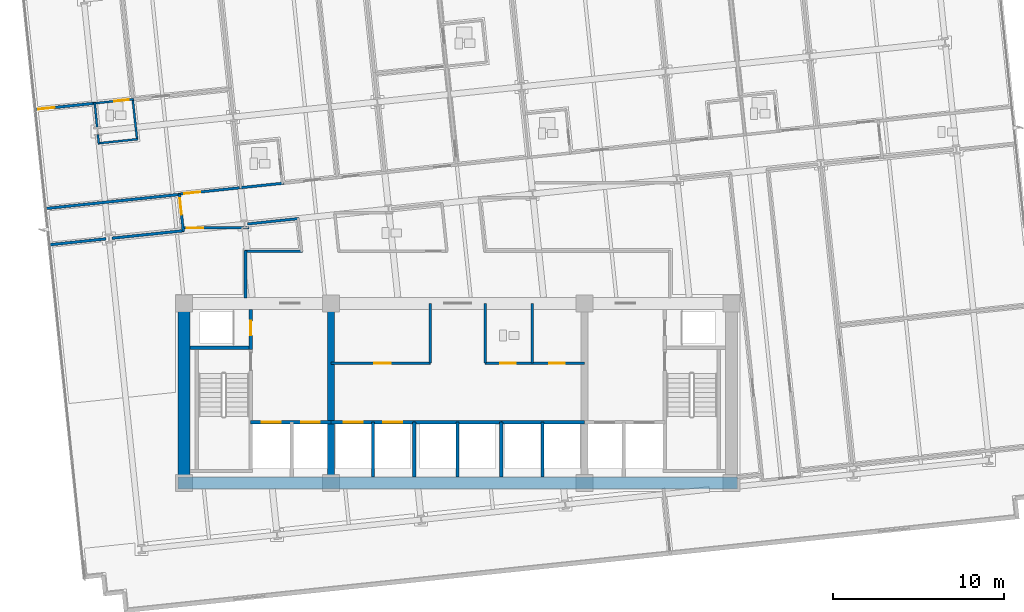
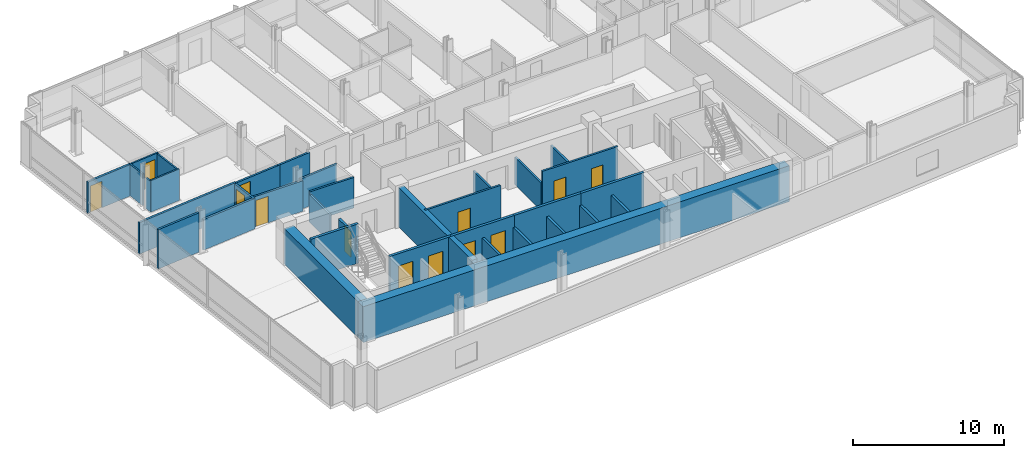
# One storey, part 10 of 20: 35 walls, 13 doors, 13 openings.
"""IFC4 building model written with IfcOpenShell, lengths in metres."""

from ifc_helpers import new_model, si_unit, direction, frame, frame_2d, origin, place, context, subcontext, project, spatial, rectangle, extrude, material, layer, layer_set, type_object, element, fill, save


model = new_model("IFC4")

# Units and contexts
model_context = context("Model", 3, precision=1e-05, world=origin(), true_north=direction((0.0, 1.0)))
body_context = subcontext(model_context, "Body", "Model", "MODEL_VIEW")
ifc_project = project(units=[si_unit("LENGTHUNIT", "METRE"), si_unit("AREAUNIT", "SQUARE_METRE"), si_unit("VOLUMEUNIT", "CUBIC_METRE"), si_unit("PLANEANGLEUNIT", "RADIAN"), si_unit("MASSUNIT", "GRAM", prefix="KILO")], contexts=[model_context])

# Site, building, storey
site_placement = place(None, origin())
site = spatial("IfcSite", under=ifc_project, at=site_placement, CompositionType="ELEMENT")
building_placement = place(site_placement, origin())
building = spatial("IfcBuilding", under=site, at=building_placement, Name="Solmavex Isthmus Hotel", CompositionType="ELEMENT")
storey_placement = place(building_placement, frame((0.0, 0.0, 87.0)))
storey = spatial("IfcBuildingStorey", under=building, at=storey_placement, Name="L23", CompositionType="ELEMENT", Elevation=87.0)

# Wall, opening, door
ifc_material_1 = material(Name="Gypsum plasterboard lining", Category="gypsum")
ifc_layer_1 = layer(ifc_material_1, 0.159912109375)
ifc_layer_set_1 = layer_set([ifc_layer_1], Name="Gypsum plasterboard lining")
wall_type_1 = type_object("IfcWallType", Name="IW-COMP-160", PredefinedType="PARTITIONING", material=ifc_layer_set_1)
wall_1_placement = place(storey_placement, frame((-24.714599609375, 8.822265625, 0.0), z_axis=(0.0, 0.0, 1.0), x_axis=(0.994521206634, 0.104535015934, 0.0)))
wall_1 = element("IfcWall", 1, at=wall_1_placement, inside=storey, type_object=wall_type_1, Name="Interior Partition Wall W-L23-P037", PredefinedType="PARTITIONING", context=body_context, shape_type="SweptSolid", body=[
    extrude(rectangle(XDim=3.56396484375, YDim=0.159912109375, at=frame_2d((1.781982421875, 0.0))), origin(), (0.0, 0.0, 1.0), 2.55322265625),
])
opening_1_placement = place(wall_1_placement, frame((0.2099609375, 0.0, 0.0)))
opening_1 = element("IfcOpeningElement", 2, at=opening_1_placement, cuts=wall_1, Name="Opening ID-C095", PredefinedType="OPENING", context=body_context, shape_type="SweptSolid", body=[
    extrude(rectangle(XDim=0.949951171875, YDim=2.14990234375, at=frame_2d((0.47509765625, 1.074951171875))), frame((0.0, 0.08984375, 0.0), z_axis=(0.0, -1.0, 0.0), x_axis=(1.0, 0.0, 0.0)), (0.0, 0.0, 1.0), 0.179931640625),
])
ifc_material_2 = material(Name="Hardwood timber", Category="wood")
door_type_1 = type_object("IfcDoorType", Name="IDR-FD60-0950", OperationType="NOTDEFINED", PredefinedType="DOOR", material=ifc_material_2)
door_1_placement = place(opening_1_placement, origin())
door_1 = element("IfcDoor", 3, at=door_1_placement, inside=storey, type_object=door_type_1, Name="Corner Botanical Suite Bedroom Door L23-02", OperationType="SINGLE_SWING_RIGHT", OverallHeight=2.14990234375, OverallWidth=0.949951171875, PredefinedType="DOOR", context=body_context, shape_type="SweptSolid", body=[
    extrude(rectangle(XDim=0.949951171875, YDim=2.14990234375, at=frame_2d((0.47509765625, 1.074951171875))), frame((0.0, 0.02490234375, 0.0), z_axis=(0.0, -1.0, 0.0), x_axis=(1.0, 0.0, 0.0)), (0.0, 0.0, 1.0), 0.050048828125),
])
fill(opening_1, door_1)

# Walls
wall_2_placement = place(storey_placement, frame((-16.221923828125, 3.86474609375, 0.0), z_axis=(0.0, 0.0, 1.0), x_axis=(-0.994522987852, -0.104518068455, 0.0)))
element("IfcWall", 4, at=wall_2_placement, inside=storey, type_object=wall_type_1, Name="Interior Partition Wall W-L23-P046", PredefinedType="PARTITIONING", context=body_context, shape_type="SweptSolid", body=[
    extrude(rectangle(XDim=7.927978515625, YDim=0.159912109375, at=frame_2d((3.9638671875, 0.0))), origin(), (0.0, 0.0, 1.0), 2.55322265625),
])
wall_3_placement = place(storey_placement, frame((-20.558349609375, 1.267333984375, 0.0), z_axis=(0.0, 0.0, 1.0), x_axis=(-0.99451904707, -0.10455555946, 0.0)))
element("IfcWall", 5, at=wall_3_placement, inside=storey, type_object=wall_type_1, Name="Interior Partition Wall W-L23-P086", PredefinedType="PARTITIONING", context=body_context, shape_type="SweptSolid", body=[
    extrude(rectangle(XDim=3.34375, YDim=0.159912109375, at=frame_2d((1.671875, 0.0))), origin(), (0.0, 0.0, 1.0), 3.18994140625),
])
wall_4_placement = place(storey_placement, frame((-15.9892578125, 1.74755859375, 0.0), z_axis=(0.0, 0.0, 1.0), x_axis=(-0.994523098997, -0.104517010867, 0.0)))
element("IfcWall", 6, at=wall_4_placement, inside=storey, type_object=wall_type_1, Name="Interior Partition Wall W-L23-P087", PredefinedType="PARTITIONING", context=body_context, shape_type="SweptSolid", body=[
    extrude(rectangle(XDim=4.241943359375, YDim=0.159912109375, at=frame_2d((2.12109375, 0.0))), origin(), (0.0, 0.0, 1.0), 2.4794921875),
])

# Wall, opening, door
ifc_layer_2 = layer(ifc_material_1, 0.14990234375)
ifc_layer_set_2 = layer_set([ifc_layer_2], Name="Gypsum plasterboard lining")
wall_type_2 = type_object("IfcWallType", Name="IW-CORR-150", PredefinedType="PARTITIONING", material=ifc_layer_set_2)
wall_5_placement = place(storey_placement, frame((-7.39990234375, -6.0, 0.0), z_axis=(0.0, 0.0, 1.0), x_axis=(1.0, 0.0, 0.0)))
wall_5 = element("IfcWall", 7, at=wall_5_placement, inside=storey, type_object=wall_type_2, Name="Interior Partition Wall W-L23-BOH-WS", PredefinedType="PARTITIONING", context=body_context, shape_type="SweptSolid", body=[
    extrude(rectangle(XDim=5.7998046875, YDim=0.14990234375, at=frame_2d((2.89990234375, 0.0))), origin(), (0.0, 0.0, 1.0), 3.18994140625),
])
opening_2_placement = place(wall_5_placement, frame((2.52490234375, 0.0, 0.0)))
opening_2 = element("IfcOpeningElement", 8, at=opening_2_placement, cuts=wall_5, Name="Opening ID-C095", PredefinedType="OPENING", context=body_context, shape_type="SweptSolid", body=[
    extrude(rectangle(XDim=0.949951171875, YDim=2.14990234375, at=frame_2d((0.47509765625, 1.074951171875))), frame((0.0, 0.0849609375, 0.0), z_axis=(0.0, -1.0, 0.0), x_axis=(1.0, 0.0, 0.0)), (0.0, 0.0, 1.0), 0.169921875),
])
door_2_placement = place(opening_2_placement, frame((0.949951171875, 0.0, 0.0), z_axis=(0.0, 0.0, 1.0), x_axis=(-1.0, 0.0, 0.0)))
door_2 = element("IfcDoor", 9, at=door_2_placement, inside=storey, type_object=door_type_1, Name="Housekeeping Room Door L23", OperationType="SINGLE_SWING_LEFT", OverallHeight=2.14990234375, OverallWidth=0.949951171875, PredefinedType="DOOR", context=body_context, shape_type="SweptSolid", body=[
    extrude(rectangle(XDim=0.949951171875, YDim=2.14990234375, at=frame_2d((0.47509765625, 1.074951171875))), frame((0.0, 0.02490234375, 0.0), z_axis=(0.0, -1.0, 0.0), x_axis=(1.0, 0.0, 0.0)), (0.0, 0.0, 1.0), 0.050048828125),
])
fill(opening_2, door_2)

# Wall
wall_6_placement = place(storey_placement, frame((-1.60009765625, -6.0, 0.0), z_axis=(0.0, 0.0, 1.0), x_axis=(0.0, 1.0, 0.0)))
element("IfcWall", 10, at=wall_6_placement, inside=storey, type_object=wall_type_2, Name="Interior Partition Wall W-L23-BOH-WE", PredefinedType="PARTITIONING", context=body_context, shape_type="SweptSolid", body=[
    extrude(rectangle(XDim=3.5, YDim=0.14990234375, at=frame_2d((1.75, 0.0))), origin(), (0.0, 0.0, 1.0), 2.22509765625),
])

# Wall, openings, doors
wall_7_placement = place(storey_placement, frame((1.60009765625, -6.0, 0.0), z_axis=(0.0, 0.0, 1.0), x_axis=(1.0, 0.0, 0.0)))
wall_7 = element("IfcWall", 11, at=wall_7_placement, inside=storey, type_object=wall_type_2, Name="Interior Partition Wall W-L23-BOH-ES", PredefinedType="PARTITIONING", context=body_context, shape_type="SweptSolid", body=[
    extrude(rectangle(XDim=5.7998046875, YDim=0.14990234375, at=frame_2d((2.89990234375, 0.0))), origin(), (0.0, 0.0, 1.0), 3.18994140625),
])
opening_3_placement = place(wall_7_placement, frame((0.89990234375, 0.0, 0.0)))
opening_3 = element("IfcOpeningElement", 12, at=opening_3_placement, cuts=wall_7, Name="Opening ID-C090", PredefinedType="OPENING", context=body_context, shape_type="SweptSolid", body=[
    extrude(rectangle(XDim=0.89990234375, YDim=2.10009765625, at=frame_2d((0.449951171875, 1.050048828125))), frame((0.0, 0.0849609375, 0.0), z_axis=(0.0, -1.0, 0.0), x_axis=(1.0, 0.0, 0.0)), (0.0, 0.0, 1.0), 0.169921875),
])
opening_4_placement = place(wall_7_placement, frame((3.75, 0.0, 0.0)))
opening_4 = element("IfcOpeningElement", 13, at=opening_4_placement, cuts=wall_7, Name="Opening ID-C090", PredefinedType="OPENING", context=body_context, shape_type="SweptSolid", body=[
    extrude(rectangle(XDim=0.89990234375, YDim=2.10009765625, at=frame_2d((0.449951171875, 1.050048828125))), frame((0.0, 0.0849609375, 0.0), z_axis=(0.0, -1.0, 0.0), x_axis=(1.0, 0.0, 0.0)), (0.0, 0.0, 1.0), 0.169921875),
])
door_type_2 = type_object("IfcDoorType", Name="IDR-FD60-0900", OperationType="NOTDEFINED", PredefinedType="DOOR", material=ifc_material_2)
door_3_placement = place(opening_3_placement, frame((0.89990234375, 0.0, 0.0), z_axis=(0.0, 0.0, 1.0), x_axis=(-1.0, 0.0, 0.0)))
door_3 = element("IfcDoor", 14, at=door_3_placement, inside=storey, type_object=door_type_2, Name="Staff WC Door L23", OperationType="SINGLE_SWING_RIGHT", OverallHeight=2.10009765625, OverallWidth=0.89990234375, PredefinedType="DOOR", context=body_context, shape_type="SweptSolid", body=[
    extrude(rectangle(XDim=0.89990234375, YDim=2.10009765625, at=frame_2d((0.449951171875, 1.050048828125))), frame((0.0, 0.02490234375, 0.0), z_axis=(0.0, -1.0, 0.0), x_axis=(1.0, 0.0, 0.0)), (0.0, 0.0, 1.0), 0.050048828125),
])
fill(opening_3, door_3)
door_4_placement = place(opening_4_placement, frame((0.89990234375, 0.0, 0.0), z_axis=(0.0, 0.0, 1.0), x_axis=(-1.0, 0.0, 0.0)))
door_4 = element("IfcDoor", 15, at=door_4_placement, inside=storey, type_object=door_type_2, Name="Pantry Door L23", OperationType="SINGLE_SWING_LEFT", OverallHeight=2.10009765625, OverallWidth=0.89990234375, PredefinedType="DOOR", context=body_context, shape_type="SweptSolid", body=[
    extrude(rectangle(XDim=0.89990234375, YDim=2.10009765625, at=frame_2d((0.449951171875, 1.050048828125))), frame((0.0, 0.02490234375, 0.0), z_axis=(0.0, -1.0, 0.0), x_axis=(1.0, 0.0, 0.0)), (0.0, 0.0, 1.0), 0.050048828125),
])
fill(opening_4, door_4)

# Wall
wall_8_placement = place(storey_placement, frame((1.60009765625, -6.0, 0.0), z_axis=(0.0, 0.0, 1.0), x_axis=(0.0, 1.0, 0.0)))
element("IfcWall", 16, at=wall_8_placement, inside=storey, type_object=wall_type_2, Name="Interior Partition Wall W-L23-BOH-EW", PredefinedType="PARTITIONING", context=body_context, shape_type="SweptSolid", body=[
    extrude(rectangle(XDim=3.5, YDim=0.14990234375, at=frame_2d((1.75, 0.0))), origin(), (0.0, 0.0, 1.0), 2.22509765625),
])

# Wall, opening, door
wall_9_placement = place(storey_placement, frame((-16.303466796875, 3.87646484375, 0.0), z_axis=(0.0, 0.0, 1.0), x_axis=(0.994525204328, 0.104496975826, 0.0)))
wall_9 = element("IfcWall", 17, at=wall_9_placement, inside=storey, type_object=wall_type_2, Name="Interior Partition Wall W-L23-P001", PredefinedType="PARTITIONING", context=body_context, shape_type="SweptSolid", body=[
    extrude(rectangle(XDim=3.7216796875, YDim=0.14990234375, at=frame_2d((1.86083984375, 0.0))), origin(), (0.0, 0.0, 1.0), 2.4794921875),
])
opening_5_placement = place(wall_9_placement, frame((0.315185546875, 0.0, 0.0)))
opening_5 = element("IfcOpeningElement", 18, at=opening_5_placement, cuts=wall_9, Name="Opening ID-C095", PredefinedType="OPENING", context=body_context, shape_type="SweptSolid", body=[
    extrude(rectangle(XDim=0.949951171875, YDim=2.14990234375, at=frame_2d((0.47509765625, 1.074951171875))), frame((0.0, 0.0849609375, 0.0), z_axis=(0.0, -1.0, 0.0), x_axis=(1.0, 0.0, 0.0)), (0.0, 0.0, 1.0), 0.169921875),
])
door_5_placement = place(opening_5_placement, origin())
door_5 = element("IfcDoor", 19, at=door_5_placement, inside=storey, type_object=door_type_1, Name="Corner Botanical Suite Reception Foyer Door L23-01", OperationType="SINGLE_SWING_LEFT", OverallHeight=2.14990234375, OverallWidth=0.949951171875, PredefinedType="DOOR", context=body_context, shape_type="SweptSolid", body=[
    extrude(rectangle(XDim=0.949951171875, YDim=2.14990234375, at=frame_2d((0.47509765625, 1.074951171875))), frame((0.0, 0.02490234375, 0.0), z_axis=(0.0, -1.0, 0.0), x_axis=(1.0, 0.0, 0.0)), (0.0, 0.0, 1.0), 0.050048828125),
])
fill(opening_5, door_5)

# Wall
wall_10_placement = place(storey_placement, frame((-12.76513671875, 4.248291015625, 0.0), z_axis=(0.0, 0.0, 1.0), x_axis=(0.994524370789, 0.104504908528, 0.0)))
element("IfcWall", 20, at=wall_10_placement, inside=storey, type_object=wall_type_2, Name="Interior Partition Wall W-L23-P003", PredefinedType="PARTITIONING", context=body_context, shape_type="SweptSolid", body=[
    extrude(rectangle(XDim=2.6142578125, YDim=0.14990234375, at=frame_2d((1.30712890625, 0.0))), origin(), (0.0, 0.0, 1.0), 2.4794921875),
])

# Wall, opening, door
wall_11_placement = place(storey_placement, frame((-16.034912109375, 1.70263671875, 0.0), z_axis=(0.0, 0.0, 1.0), x_axis=(-0.104512255544, 0.994523598735, 0.0)))
wall_11 = element("IfcWall", 21, at=wall_11_placement, inside=storey, type_object=wall_type_2, Name="Interior Partition Wall W-L23-P020", PredefinedType="PARTITIONING", context=body_context, shape_type="SweptSolid", body=[
    extrude(rectangle(XDim=2.2099609375, YDim=0.14990234375, at=frame_2d((1.10498046875, 0.0))), origin(), (0.0, 0.0, 1.0), 2.4794921875),
])
opening_6_placement = place(wall_11_placement, frame((0.98779296875, 0.0, 0.0)))
opening_6 = element("IfcOpeningElement", 22, at=opening_6_placement, cuts=wall_11, Name="Opening ID-C095", PredefinedType="OPENING", context=body_context, shape_type="SweptSolid", body=[
    extrude(rectangle(XDim=0.949951171875, YDim=2.14990234375, at=frame_2d((0.47509765625, 1.074951171875))), frame((0.0, 0.0849609375, 0.0), z_axis=(0.0, -1.0, 0.0), x_axis=(1.0, 0.0, 0.0)), (0.0, 0.0, 1.0), 0.169921875),
])
door_6_placement = place(opening_6_placement, origin())
door_6 = element("IfcDoor", 23, at=door_6_placement, inside=storey, type_object=door_type_1, Name="Wellness Treatment Room Door L23-21", OperationType="SINGLE_SWING_LEFT", OverallHeight=2.14990234375, OverallWidth=0.949951171875, PredefinedType="DOOR", context=body_context, shape_type="SweptSolid", body=[
    extrude(rectangle(XDim=0.949951171875, YDim=2.14990234375, at=frame_2d((0.47509765625, 1.074951171875))), frame((0.0, 0.02490234375, 0.0), z_axis=(0.0, -1.0, 0.0), x_axis=(1.0, 0.0, 0.0)), (0.0, 0.0, 1.0), 0.050048828125),
])
fill(opening_6, door_6)

# Walls
wall_12_placement = place(storey_placement, frame((-12.39990234375, -2.18994140625, 0.0), z_axis=(0.0, 0.0, 1.0), x_axis=(0.0, 1.0, 0.0)))
element("IfcWall", 24, at=wall_12_placement, inside=storey, type_object=wall_type_2, Name="Interior Partition Wall W-L23-P031", PredefinedType="PARTITIONING", context=body_context, shape_type="SweptSolid", body=[
    extrude(rectangle(XDim=2.780029296875, YDim=0.14990234375, at=frame_2d((1.39013671875, 0.0))), origin(), (0.0, 0.0, 1.0), 2.22509765625),
])
wall_13_placement = place(storey_placement, frame((-12.43994140625, 0.550048828125, 0.0), z_axis=(0.0, 0.0, 1.0), x_axis=(1.0, 0.0, 0.0)))
element("IfcWall", 25, at=wall_13_placement, inside=storey, type_object=wall_type_2, Name="Interior Partition Wall W-L23-P032", PredefinedType="PARTITIONING", context=body_context, shape_type="SweptSolid", body=[
    extrude(rectangle(XDim=3.3564453125, YDim=0.14990234375, at=frame_2d((1.67822265625, 0.0))), origin(), (0.0, 0.0, 1.0), 2.4794921875),
])
wall_14_placement = place(storey_placement, frame((-9.283203125, 2.452392578125, 0.0), z_axis=(0.0, 0.0, 1.0), x_axis=(-0.994518748051, -0.104558403652, 0.0)))
element("IfcWall", 26, at=wall_14_placement, inside=storey, type_object=wall_type_2, Name="Interior Partition Wall W-L23-P034", PredefinedType="PARTITIONING", context=body_context, shape_type="SweptSolid", body=[
    extrude(rectangle(XDim=3.016845703125, YDim=0.14990234375, at=frame_2d((1.50830078125, 0.0))), origin(), (0.0, 0.0, 1.0), 2.4794921875),
])

# Wall, opening, door
wall_15_placement = place(storey_placement, frame((-12.203857421875, 1.903564453125, 0.0), z_axis=(0.0, 0.0, 1.0), x_axis=(-1.0, 0.0, 0.0)))
wall_15 = element("IfcWall", 27, at=wall_15_placement, inside=storey, type_object=wall_type_2, Name="Interior Partition Wall W-L23-P035", PredefinedType="PARTITIONING", context=body_context, shape_type="SweptSolid", body=[
    extrude(rectangle(XDim=3.875, YDim=0.14990234375, at=frame_2d((1.9375, 0.0))), origin(), (0.0, 0.0, 1.0), 2.4794921875),
])
opening_7_placement = place(wall_15_placement, frame((2.6669921875, 0.0, 0.0)))
opening_7 = element("IfcOpeningElement", 28, at=opening_7_placement, cuts=wall_15, Name="Opening ID-C095", PredefinedType="OPENING", context=body_context, shape_type="SweptSolid", body=[
    extrude(rectangle(XDim=0.949951171875, YDim=2.14990234375, at=frame_2d((0.47509765625, 1.074951171875))), frame((0.0, 0.0849609375, 0.0), z_axis=(0.0, -1.0, 0.0), x_axis=(1.0, 0.0, 0.0)), (0.0, 0.0, 1.0), 0.169921875),
])
door_7_placement = place(opening_7_placement, origin())
door_7 = element("IfcDoor", 29, at=door_7_placement, inside=storey, type_object=door_type_1, Name="Wellness Treatment Room Door L23-25", OperationType="SINGLE_SWING_LEFT", OverallHeight=2.14990234375, OverallWidth=0.949951171875, PredefinedType="DOOR", context=body_context, shape_type="SweptSolid", body=[
    extrude(rectangle(XDim=0.949951171875, YDim=2.14990234375, at=frame_2d((0.47509765625, 1.074951171875))), frame((0.0, 0.02490234375, 0.0), z_axis=(0.0, -1.0, 0.0), x_axis=(1.0, 0.0, 0.0)), (0.0, 0.0, 1.0), 0.050048828125),
])
fill(opening_7, door_7)

# Walls
ifc_layer_3 = layer(ifc_material_1, 0.1201171875)
ifc_layer_set_3 = layer_set([ifc_layer_3], Name="Gypsum plasterboard lining")
wall_type_3 = type_object("IfcWallType", Name="IW-PART-120", PredefinedType="PARTITIONING", material=ifc_layer_set_3)
wall_16_placement = place(storey_placement, frame((4.35009765625, -6.0, 0.0), z_axis=(0.0, 0.0, 1.0), x_axis=(0.0, 1.0, 0.0)))
element("IfcWall", 30, at=wall_16_placement, inside=storey, type_object=wall_type_3, Name="Interior Partition Wall W-L23-BOH-EM0", PredefinedType="PARTITIONING", context=body_context, shape_type="SweptSolid", body=[
    extrude(rectangle(XDim=3.5, YDim=0.14990234375, at=frame_2d((1.75, 0.0))), origin(), (0.0, 0.0, 1.0), 2.22509765625),
])
wall_17_placement = place(storey_placement, frame((-21.2138671875, 9.23046875, 0.0), z_axis=(0.0, 0.0, 1.0), x_axis=(0.097602755553, -0.995225452904, 0.0)))
element("IfcWall", 31, at=wall_17_placement, inside=storey, type_object=wall_type_3, Name="Interior Partition Wall W-L23-P039", PredefinedType="PARTITIONING", context=body_context, shape_type="SweptSolid", body=[
    extrude(rectangle(XDim=1.513427734375, YDim=0.1201171875, at=frame_2d((0.7568359375, 0.0))), origin(), (0.0, 0.0, 1.0), 2.55322265625),
])
wall_18_placement = place(storey_placement, frame((-21.029052734375, 7.3740234375, 0.0), z_axis=(0.0, 0.0, 1.0), x_axis=(0.104684784518, -0.994505452921, 0.0)))
element("IfcWall", 32, at=wall_18_placement, inside=storey, type_object=wall_type_3, Name="Interior Partition Wall W-L23-P040", PredefinedType="PARTITIONING", context=body_context, shape_type="SweptSolid", body=[
    extrude(rectangle(XDim=0.564453125, YDim=0.1201171875, at=frame_2d((0.2822265625, 0.0))), origin(), (0.0, 0.0, 1.0), 2.4794921875),
])
wall_19_placement = place(storey_placement, frame((-21.013916015625, 6.84814453125, 0.0), z_axis=(0.0, 0.0, 1.0), x_axis=(0.994516930255, 0.104575692382, 0.0)))
element("IfcWall", 33, at=wall_19_placement, inside=storey, type_object=wall_type_3, Name="Interior Partition Wall W-L23-P041", PredefinedType="PARTITIONING", context=body_context, shape_type="SweptSolid", body=[
    extrude(rectangle(XDim=2.329833984375, YDim=0.1201171875, at=frame_2d((1.1650390625, 0.0))), origin(), (0.0, 0.0, 1.0), 2.55322265625),
])
wall_20_placement = place(storey_placement, frame((-18.732177734375, 7.0478515625, 0.0), z_axis=(0.0, 0.0, 1.0), x_axis=(-0.108810361378, 0.994062525829, 0.0)))
element("IfcWall", 34, at=wall_20_placement, inside=storey, type_object=wall_type_3, Name="Interior Partition Wall W-L23-P042", PredefinedType="PARTITIONING", context=body_context, shape_type="SweptSolid", body=[
    extrude(rectangle(XDim=2.429931640625, YDim=0.1201171875, at=frame_2d((1.21484375, 0.0))), origin(), (0.0, 0.0, 1.0), 2.4794921875),
])

# Wall, opening, door
wall_21_placement = place(storey_placement, frame((-18.9423828125, 9.428955078125, 0.0), z_axis=(0.0, 0.0, 1.0), x_axis=(-0.994517852755, -0.104566919011, 0.0)))
wall_21 = element("IfcWall", 35, at=wall_21_placement, inside=storey, type_object=wall_type_3, Name="Interior Partition Wall W-L23-P048", PredefinedType="PARTITIONING", context=body_context, shape_type="SweptSolid", body=[
    extrude(rectangle(XDim=2.3720703125, YDim=0.1201171875, at=frame_2d((1.18603515625, 0.0))), origin(), (0.0, 0.0, 1.0), 2.55322265625),
])
opening_8_placement = place(wall_21_placement, frame((0.27978515625, 0.0, 0.0)))
opening_8 = element("IfcOpeningElement", 36, at=opening_8_placement, cuts=wall_21, Name="Opening ID-U085", PredefinedType="OPENING", context=body_context, shape_type="SweptSolid", body=[
    extrude(rectangle(XDim=0.85009765625, YDim=2.10009765625, at=frame_2d((0.425048828125, 1.050048828125))), frame((0.0, 0.070068359375, 0.0), z_axis=(0.0, -1.0, 0.0), x_axis=(1.0, 0.0, 0.0)), (0.0, 0.0, 1.0), 0.14013671875),
])
door_type_3 = type_object("IfcDoorType", Name="IDR-UNR-0850", OperationType="NOTDEFINED", PredefinedType="DOOR", material=ifc_material_2)
door_8_placement = place(opening_8_placement, frame((0.85009765625, 0.0, 0.0), z_axis=(0.0, 0.0, 1.0), x_axis=(-1.0, 0.0, 0.0)))
door_8 = element("IfcDoor", 37, at=door_8_placement, inside=storey, type_object=door_type_3, Name="En-suite Bathroom Door L23-04", OperationType="SINGLE_SWING_RIGHT", OverallHeight=2.10009765625, OverallWidth=0.85009765625, PredefinedType="DOOR", context=body_context, shape_type="SweptSolid", body=[
    extrude(rectangle(XDim=0.85009765625, YDim=2.10009765625, at=frame_2d((0.425048828125, 1.050048828125))), frame((0.0, 0.02490234375, 0.0), z_axis=(0.0, -1.0, 0.0), x_axis=(1.0, 0.0, 0.0)), (0.0, 0.0, 1.0), 0.050048828125),
])
fill(opening_8, door_8)

# Walls
ifc_material_3 = material(Name="Concrete C40/50", Category="concrete")
ifc_layer_4 = layer(ifc_material_3, 0.179931640625)
ifc_layer_set_4 = layer_set([ifc_layer_4], Name="Concrete C40/50")
wall_type_4 = type_object("IfcWallType", Name="IW-SHAFT-180", PredefinedType="PARTITIONING", material=ifc_layer_set_4)
for number, where, z_axis, x_axis, name in (
    (38, (-4.949951171875, -12.64990234375, 0.0), (0.0, 0.0, 1.0), (0.0, 1.0, 0.0), "Interior Partition Wall W-L23-SH-PLL-M"),
    (39, (0.0, -12.64990234375, 0.0), (0.0, 0.0, 1.0), (0.0, 1.0, 0.0), "Interior Partition Wall W-L23-SH-PLM-M"),
    (40, (4.949951171875, -12.64990234375, 0.0), (0.0, 0.0, 1.0), (0.0, 1.0, 0.0), "Interior Partition Wall W-L23-SH-PLH-M"),
):
    element("IfcWall", number, at=place(storey_placement, frame(where, z_axis=z_axis, x_axis=x_axis)), inside=storey, type_object=wall_type_4, Name=name, PredefinedType="PARTITIONING", context=body_context, shape_type="SweptSolid", body=[
        extrude(rectangle(XDim=3.199951171875, YDim=0.179931640625, at=frame_2d((1.60009765625, 0.0))), origin(), (0.0, 0.0, 1.0), 2.22509765625),
    ])

# Wall, opening, door
ifc_layer_5 = layer(ifc_material_3, 0.199951171875)
ifc_layer_set_5 = layer_set([ifc_layer_5], Name="Concrete C40/50")
wall_type_5 = type_object("IfcWallType", Name="IW-SHAFT-200", PredefinedType="PARTITIONING", material=ifc_layer_set_5)
wall_22_placement = place(storey_placement, frame((-12.10009765625, -5.199951171875, 0.0), z_axis=(0.0, 0.0, 1.0), x_axis=(0.0, 1.0, 0.0)))
wall_22 = element("IfcWall", 41, at=wall_22_placement, inside=storey, type_object=wall_type_5, Name="Interior Partition Wall W-L23-RSW-E", PredefinedType="PARTITIONING", context=body_context, shape_type="SweptSolid", body=[
    extrude(rectangle(XDim=2.349853515625, YDim=0.199951171875, at=frame_2d((1.1748046875, 0.0))), origin(), (0.0, 0.0, 1.0), 2.22509765625),
])
opening_9_placement = place(wall_22_placement, frame((0.824951171875, 0.0, 0.0)))
opening_9 = element("IfcOpeningElement", 42, at=opening_9_placement, cuts=wall_22, Name="Opening ID-R085", PredefinedType="OPENING", context=body_context, shape_type="SweptSolid", body=[
    extrude(rectangle(XDim=0.85009765625, YDim=2.050048828125, at=frame_2d((0.425048828125, 1.02490234375))), frame((0.0, 0.10986328125, 0.0), z_axis=(0.0, -1.0, 0.0), x_axis=(1.0, 0.0, 0.0)), (0.0, 0.0, 1.0), 0.219970703125),
])
ifc_material_4 = material(Name="Steel ASTM A500 Grade C", Category="steel")
door_type_4 = type_object("IfcDoorType", Name="IDR-FD60-0850", OperationType="NOTDEFINED", PredefinedType="DOOR", material=ifc_material_4)
door_9_placement = place(opening_9_placement, origin())
door_9 = element("IfcDoor", 43, at=door_9_placement, inside=storey, type_object=door_type_4, Name="Electrical Riser Door L23", OperationType="SINGLE_SWING_RIGHT", OverallHeight=2.050048828125, OverallWidth=0.85009765625, PredefinedType="DOOR", context=body_context, shape_type="SweptSolid", body=[
    extrude(rectangle(XDim=0.85009765625, YDim=2.050048828125, at=frame_2d((0.425048828125, 1.02490234375))), frame((0.0, 0.02490234375, 0.0), z_axis=(0.0, -1.0, 0.0), x_axis=(1.0, 0.0, 0.0)), (0.0, 0.0, 1.0), 0.050048828125),
])
fill(opening_9, door_9)

# Wall, openings, doors
wall_23_placement = place(storey_placement, frame((-12.10009765625, -9.449951171875, 0.0), z_axis=(0.0, 0.0, 1.0), x_axis=(1.0, 0.0, 0.0)))
wall_23 = element("IfcWall", 44, at=wall_23_placement, inside=storey, type_object=wall_type_5, Name="Interior Partition Wall W-L23-FFLW-S", PredefinedType="PARTITIONING", context=body_context, shape_type="SweptSolid", body=[
    extrude(rectangle(XDim=4.7001953125, YDim=0.199951171875, at=frame_2d((2.35009765625, 0.0))), origin(), (0.0, 0.0, 1.0), 3.18994140625),
])
opening_10_placement = place(wall_23_placement, frame((0.64990234375, 0.0, 0.0)))
opening_10 = element("IfcOpeningElement", 45, at=opening_10_placement, cuts=wall_23, Name="Opening LD-FF", PredefinedType="OPENING", context=body_context, shape_type="SweptSolid", body=[
    extrude(rectangle(XDim=1.10009765625, YDim=2.199951171875, at=frame_2d((0.550048828125, 1.10009765625))), frame((0.0, 0.10986328125, 0.0), z_axis=(0.0, -1.0, 0.0), x_axis=(1.0, 0.0, 0.0)), (0.0, 0.0, 1.0), 0.219970703125),
])
opening_11_placement = place(wall_23_placement, frame((2.949951171875, 0.0, 0.0)))
opening_11 = element("IfcOpeningElement", 46, at=opening_11_placement, cuts=wall_23, Name="Opening LD-SV", PredefinedType="OPENING", context=body_context, shape_type="SweptSolid", body=[
    extrude(rectangle(XDim=1.10009765625, YDim=2.199951171875, at=frame_2d((0.550048828125, 1.10009765625))), frame((0.0, 0.10986328125, 0.0), z_axis=(0.0, -1.0, 0.0), x_axis=(1.0, 0.0, 0.0)), (0.0, 0.0, 1.0), 0.219970703125),
])
ifc_material_5 = material(Name="Stainless steel 316", Category="steel")
door_type_5 = type_object("IfcDoorType", Name="LDR-FF-1100", OperationType="NOTDEFINED", PredefinedType="DOOR", material=ifc_material_5)
door_10_placement = place(opening_10_placement, origin())
door_10 = element("IfcDoor", 47, at=door_10_placement, inside=storey, type_object=door_type_5, Name="Lift Landing Door FFL-1 L23", OperationType="SLIDING_TO_LEFT", OverallHeight=2.199951171875, OverallWidth=1.10009765625, PredefinedType="DOOR", context=body_context, shape_type="SweptSolid", body=[
    extrude(rectangle(XDim=1.10009765625, YDim=2.199951171875, at=frame_2d((0.550048828125, 1.10009765625))), frame((0.0, 0.02490234375, 0.0), z_axis=(0.0, -1.0, 0.0), x_axis=(1.0, 0.0, 0.0)), (0.0, 0.0, 1.0), 0.050048828125),
])
fill(opening_10, door_10)
door_type_6 = type_object("IfcDoorType", Name="LDR-SV-1100", OperationType="NOTDEFINED", PredefinedType="DOOR", material=ifc_material_5)
door_11_placement = place(opening_11_placement, origin())
door_11 = element("IfcDoor", 48, at=door_11_placement, inside=storey, type_object=door_type_6, Name="Lift Landing Door SVL-1 L23", OperationType="SLIDING_TO_RIGHT", OverallHeight=2.199951171875, OverallWidth=1.10009765625, PredefinedType="DOOR", context=body_context, shape_type="SweptSolid", body=[
    extrude(rectangle(XDim=1.10009765625, YDim=2.199951171875, at=frame_2d((0.550048828125, 1.10009765625))), frame((0.0, 0.02490234375, 0.0), z_axis=(0.0, -1.0, 0.0), x_axis=(1.0, 0.0, 0.0)), (0.0, 0.0, 1.0), 0.050048828125),
])
fill(opening_11, door_11)

wall_24_placement = place(storey_placement, frame((-7.39990234375, -9.449951171875, 0.0), z_axis=(0.0, 0.0, 1.0), x_axis=(1.0, 0.0, 0.0)))
wall_24 = element("IfcWall", 49, at=wall_24_placement, inside=storey, type_object=wall_type_5, Name="Interior Partition Wall W-L23-SH-PLL", PredefinedType="PARTITIONING", context=body_context, shape_type="SweptSolid", body=[
    extrude(rectangle(XDim=4.849853515625, YDim=0.199951171875, at=frame_2d((2.4248046875, 0.0))), origin(), (0.0, 0.0, 1.0), 3.18994140625),
])
opening_12_placement = place(wall_24_placement, frame((0.75, 0.0, 0.0)))
opening_12 = element("IfcOpeningElement", 50, at=opening_12_placement, cuts=wall_24, Name="Opening LD-PL", PredefinedType="OPENING", context=body_context, shape_type="SweptSolid", body=[
    extrude(rectangle(XDim=1.10009765625, YDim=2.199951171875, at=frame_2d((0.550048828125, 1.10009765625))), frame((0.0, 0.10986328125, 0.0), z_axis=(0.0, -1.0, 0.0), x_axis=(1.0, 0.0, 0.0)), (0.0, 0.0, 1.0), 0.219970703125),
])
opening_13_placement = place(wall_24_placement, frame((3.050048828125, 0.0, 0.0)))
opening_13 = element("IfcOpeningElement", 51, at=opening_13_placement, cuts=wall_24, Name="Opening LD-PL", PredefinedType="OPENING", context=body_context, shape_type="SweptSolid", body=[
    extrude(rectangle(XDim=1.10009765625, YDim=2.199951171875, at=frame_2d((0.550048828125, 1.10009765625))), frame((0.0, 0.10986328125, 0.0), z_axis=(0.0, -1.0, 0.0), x_axis=(1.0, 0.0, 0.0)), (0.0, 0.0, 1.0), 0.219970703125),
])
door_type_7 = type_object("IfcDoorType", Name="LDR-PL-1100", OperationType="NOTDEFINED", PredefinedType="DOOR", material=ifc_material_5)
door_12_placement = place(opening_12_placement, origin())
door_12 = element("IfcDoor", 52, at=door_12_placement, inside=storey, type_object=door_type_7, Name="Lift Landing Door PLL1 L23", OperationType="SLIDING_TO_LEFT", OverallHeight=2.199951171875, OverallWidth=1.10009765625, PredefinedType="DOOR", context=body_context, shape_type="SweptSolid", body=[
    extrude(rectangle(XDim=1.10009765625, YDim=2.199951171875, at=frame_2d((0.550048828125, 1.10009765625))), frame((0.0, 0.02490234375, 0.0), z_axis=(0.0, -1.0, 0.0), x_axis=(1.0, 0.0, 0.0)), (0.0, 0.0, 1.0), 0.050048828125),
])
fill(opening_12, door_12)
door_13_placement = place(opening_13_placement, origin())
door_13 = element("IfcDoor", 53, at=door_13_placement, inside=storey, type_object=door_type_7, Name="Lift Landing Door PLL2 L23", OperationType="SLIDING_TO_LEFT", OverallHeight=2.199951171875, OverallWidth=1.10009765625, PredefinedType="DOOR", context=body_context, shape_type="SweptSolid", body=[
    extrude(rectangle(XDim=1.10009765625, YDim=2.199951171875, at=frame_2d((0.550048828125, 1.10009765625))), frame((0.0, 0.02490234375, 0.0), z_axis=(0.0, -1.0, 0.0), x_axis=(1.0, 0.0, 0.0)), (0.0, 0.0, 1.0), 0.050048828125),
])
fill(opening_13, door_13)

# Walls
wall_25_placement = place(storey_placement, frame((-2.550048828125, -12.64990234375, 0.0), z_axis=(0.0, 0.0, 1.0), x_axis=(0.0, 1.0, 0.0)))
element("IfcWall", 54, at=wall_25_placement, inside=storey, type_object=wall_type_5, Name="Interior Partition Wall W-L23-SH-PLL-E", PredefinedType="PARTITIONING", context=body_context, shape_type="SweptSolid", body=[
    extrude(rectangle(XDim=3.199951171875, YDim=0.199951171875, at=frame_2d((1.60009765625, 0.0))), origin(), (0.0, 0.0, 1.0), 2.22509765625),
])
wall_26_placement = place(storey_placement, frame((-2.550048828125, -9.449951171875, 0.0), z_axis=(0.0, 0.0, 1.0), x_axis=(1.0, 0.0, 0.0)))
element("IfcWall", 55, at=wall_26_placement, inside=storey, type_object=wall_type_5, Name="Interior Partition Wall W-L23-SH-PLM", PredefinedType="PARTITIONING", context=body_context, shape_type="SweptSolid", body=[
    extrude(rectangle(XDim=5.10009765625, YDim=0.199951171875, at=frame_2d((2.550048828125, 0.0))), origin(), (0.0, 0.0, 1.0), 3.18994140625),
])
wall_27_placement = place(storey_placement, frame((2.550048828125, -12.64990234375, 0.0), z_axis=(0.0, 0.0, 1.0), x_axis=(0.0, 1.0, 0.0)))
element("IfcWall", 56, at=wall_27_placement, inside=storey, type_object=wall_type_5, Name="Interior Partition Wall W-L23-SH-PLM-E", PredefinedType="PARTITIONING", context=body_context, shape_type="SweptSolid", body=[
    extrude(rectangle(XDim=3.199951171875, YDim=0.199951171875, at=frame_2d((1.60009765625, 0.0))), origin(), (0.0, 0.0, 1.0), 2.22509765625),
])
wall_28_placement = place(storey_placement, frame((2.550048828125, -9.449951171875, 0.0), z_axis=(0.0, 0.0, 1.0), x_axis=(1.0, 0.0, 0.0)))
element("IfcWall", 57, at=wall_28_placement, inside=storey, type_object=wall_type_5, Name="Interior Partition Wall W-L23-SH-PLH", PredefinedType="PARTITIONING", context=body_context, shape_type="SweptSolid", body=[
    extrude(rectangle(XDim=4.849853515625, YDim=0.199951171875, at=frame_2d((2.4248046875, 0.0))), origin(), (0.0, 0.0, 1.0), 3.18994140625),
])
ifc_material_6 = material(Name="Concrete C60/75", Category="concrete")
ifc_layer_6 = layer(ifc_material_6, 0.39990234375)
ifc_layer_set_6 = layer_set([ifc_layer_6], Name="Concrete C60/75")
wall_type_6 = type_object("IfcWallType", Name="WALL-CW-400M", PredefinedType="SHEAR", material=ifc_layer_set_6)
wall_29_placement = place(storey_placement, frame((-7.39990234375, -12.64990234375, 0.0), z_axis=(0.0, 0.0, 1.0), x_axis=(0.0, 1.0, 0.0)))
element("IfcWall", 58, at=wall_29_placement, inside=storey, type_object=wall_type_6, Name="Core Cross Shear Wall C1 L23", PredefinedType="SHEAR", context=body_context, shape_type="SweptSolid", body=[
    extrude(rectangle(XDim=9.7998046875, YDim=0.39990234375, at=frame_2d((4.89990234375, 0.0))), origin(), (0.0, 0.0, 1.0), 3.18994140625),
])
ifc_layer_7 = layer(ifc_material_6, 0.699951171875)
ifc_layer_set_7 = layer_set([ifc_layer_7], Name="Concrete C60/75")
wall_type_7 = type_object("IfcWallType", Name="WALL-CW-700", PredefinedType="SHEAR", material=ifc_layer_set_7)
wall_30_placement = place(storey_placement, frame((-16.35009765625, -13.0, 0.0), z_axis=(0.0, 0.0, 1.0), x_axis=(1.0, 0.0, 0.0)))
element("IfcWall", 59, at=wall_30_placement, inside=storey, type_object=wall_type_7, Name="Core Shear Wall South L23", PredefinedType="SHEAR", context=body_context, shape_type="SweptSolid", body=[
    extrude(rectangle(XDim=32.7001953125, YDim=0.699951171875, at=frame_2d((16.35009765625, 0.0))), origin(), (0.0, 0.0, 1.0), 2.909912109375),
])
wall_31_placement = place(storey_placement, frame((-16.0, -12.64990234375, 0.0), z_axis=(0.0, 0.0, 1.0), x_axis=(0.0, 1.0, 0.0)))
element("IfcWall", 60, at=wall_31_placement, inside=storey, type_object=wall_type_7, Name="Core Shear Wall West L23", PredefinedType="SHEAR", context=body_context, shape_type="SweptSolid", body=[
    extrude(rectangle(XDim=9.7998046875, YDim=0.699951171875, at=frame_2d((4.89990234375, 0.0))), origin(), (0.0, 0.0, 1.0), 2.909912109375),
])
ifc_layer_8 = layer(ifc_material_3, 0.199951171875)
ifc_layer_set_8 = layer_set([ifc_layer_8], Name="Concrete C40/50")
wall_type_8 = type_object("IfcWallType", Name="WALL-SW-200", PredefinedType="SOLIDWALL", material=ifc_layer_set_8)
wall_32_placement = place(storey_placement, frame((-15.64990234375, -5.10009765625, 0.0), z_axis=(0.0, 0.0, 1.0), x_axis=(1.0, 0.0, 0.0)))
element("IfcWall", 61, at=wall_32_placement, inside=storey, type_object=wall_type_8, Name="Stairwell Structural Wall SW-L23-ST1-N", PredefinedType="SOLIDWALL", context=body_context, shape_type="SweptSolid", body=[
    extrude(rectangle(XDim=3.64990234375, YDim=0.199951171875, at=frame_2d((1.824951171875, 0.0))), origin(), (0.0, 0.0, 1.0), 3.18994140625),
])

save(model, "model.ifc")
